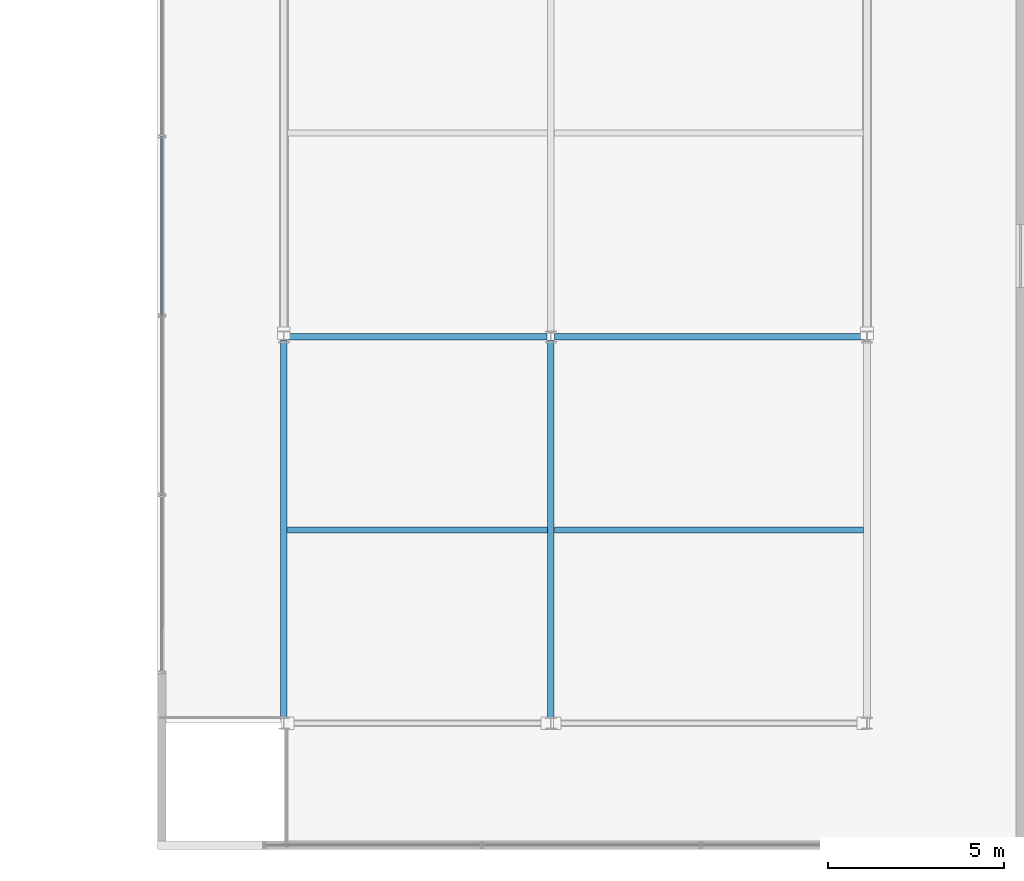
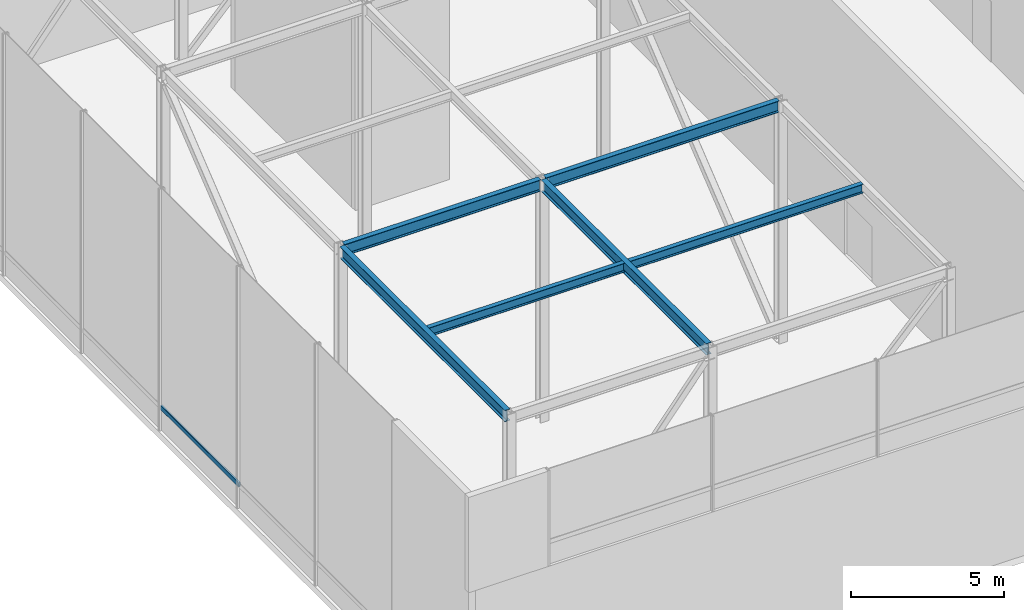
# One storey, part 8 of 42: 6 beams, 1 member, 1 element without a shape of its own.
"""IFC4 building model written with IfcOpenShell, lengths in metres."""

from ifc_helpers import new_model, si_unit, direction, frame, origin, origin_2d, place, context, subcontext, project, spatial, hollow_rectangle, i_section, extrude, material, layer, layer_set, material_profile, profile_set, type_object, element, aggregate, save


model = new_model("IFC4")

# Units and contexts
model_context = context("Model", 3, precision=1e-05, world=origin(), true_north=direction((0.0, 1.0)))
body_context = subcontext(model_context, "Body", "Model", "MODEL_VIEW")
ifc_project = project(units=[si_unit("LENGTHUNIT", "METRE"), si_unit("AREAUNIT", "SQUARE_METRE"), si_unit("VOLUMEUNIT", "CUBIC_METRE"), si_unit("PLANEANGLEUNIT", "RADIAN"), si_unit("MASSUNIT", "GRAM", prefix="KILO")], contexts=[model_context])

# Site, building, storey
site_placement = place(None, origin())
site = spatial("IfcSite", under=ifc_project, at=site_placement, CompositionType="ELEMENT")
building_placement = place(site_placement, origin())
building = spatial("IfcBuilding", under=site, at=building_placement, Name="Korimba Cascade Residences", CompositionType="ELEMENT")
storey_placement = place(building_placement, frame((0.0, 0.0, 207.60009765625)))
storey = spatial("IfcBuildingStorey", under=building, at=storey_placement, Name="L60", CompositionType="ELEMENT", Elevation=207.60009765625)

# Beams
ifc_material_1 = material(Name="Steel S355", Category="steel")
ifc_material_profile_1 = material_profile(ifc_material_1, i_section(OverallWidth=0.172119140625, OverallDepth=0.35791015625, WebThickness=0.008056640625, FlangeThickness=0.012939453125, FilletRadius=0.01025390625, at=origin_2d()), Name="Steel S355")
ifc_profile_set_1 = profile_set([ifc_material_profile_1], Name="Steel S355")
beam_type_1 = type_object("IfcBeamType", Name="BM-STL-UB356", PredefinedType="JOIST", material=ifc_profile_set_1)
beam_1_placement = place(storey_placement, frame((74.60009765625, 1.300048828125, 9.470947265625), z_axis=(1.0, 0.0, 0.0), x_axis=(0.0, 1.0, 0.0)))
element("IfcBeam", 1, at=beam_1_placement, inside=storey, type_object=beam_type_1, Name="L60 Crown Cap Joist W1.1", PredefinedType="JOIST", context=body_context, shape_type="SweptSolid", body=[
    extrude(i_section(OverallWidth=0.172119140625, OverallDepth=0.35791015625, WebThickness=0.008056640625, FlangeThickness=0.012939453125, FilletRadius=0.01025390625, at=origin_2d()), origin(), (0.0, 0.0, 1.0), 7.39990234375),
])
beam_2_placement = place(storey_placement, frame((82.199951171875, 1.300048828125, 9.470947265625), z_axis=(1.0, 0.0, 0.0), x_axis=(0.0, 1.0, 0.0)))
element("IfcBeam", 2, at=beam_2_placement, inside=storey, type_object=beam_type_1, Name="L60 Crown Cap Joist W1.2", PredefinedType="JOIST", context=body_context, shape_type="SweptSolid", body=[
    extrude(i_section(OverallWidth=0.172119140625, OverallDepth=0.35791015625, WebThickness=0.008056640625, FlangeThickness=0.012939453125, FilletRadius=0.01025390625, at=origin_2d()), origin(), (0.0, 0.0, 1.0), 8.800048828125),
])
ifc_material_profile_2 = material_profile(ifc_material_1, i_section(OverallWidth=0.19140625, OverallDepth=0.4599609375, WebThickness=0.010009765625, FlangeThickness=0.01611328125, FilletRadius=0.01025390625, at=origin_2d()), Name="Steel S355")
ifc_profile_set_2 = profile_set([ifc_material_profile_2], Name="Steel S355")
beam_type_2 = type_object("IfcBeamType", Name="BM-STL-UB457", PredefinedType="JOIST", material=ifc_profile_set_2)
beam_3_placement = place(storey_placement, frame((74.60498046875, 6.800048828125, 9.419921875), z_axis=(1.0, 0.0, 0.0), x_axis=(0.0, 1.0, 0.0)))
element("IfcBeam", 3, at=beam_3_placement, inside=storey, type_object=beam_type_2, Name="L60 Crown Cap Ring Beam W2.1", PredefinedType="JOIST", context=body_context, shape_type="SweptSolid", body=[
    extrude(i_section(OverallWidth=0.19140625, OverallDepth=0.4599609375, WebThickness=0.010009765625, FlangeThickness=0.01611328125, FilletRadius=0.01025390625, at=origin_2d()), origin(), (0.0, 0.0, 1.0), 7.39013671875),
])
beam_4_placement = place(storey_placement, frame((82.205078125, 6.800048828125, 9.419921875), z_axis=(1.0, 0.0, 0.0), x_axis=(0.0, 1.0, 0.0)))
element("IfcBeam", 4, at=beam_4_placement, inside=storey, type_object=beam_type_2, Name="L60 Crown Cap Ring Beam W2.2", PredefinedType="JOIST", context=body_context, shape_type="SweptSolid", body=[
    extrude(i_section(OverallWidth=0.19140625, OverallDepth=0.4599609375, WebThickness=0.010009765625, FlangeThickness=0.01611328125, FilletRadius=0.01025390625, at=origin_2d()), origin(), (0.0, 0.0, 1.0), 8.7900390625),
])
for number, where, z_axis, x_axis, name in (
    (5, (74.5, -4.094970703125, 9.419921875), (0.0, 1.0, 0.0), (-1.0, 0.0, 0.0), "L60 Crown Cap Tie Beam W1.1"),
    (6, (82.10009765625, -4.094970703125, 9.419921875), (0.0, 1.0, 0.0), (-1.0, 0.0, 0.0), "L60 Crown Cap Tie Beam W2.1"),
):
    element("IfcBeam", number, at=place(storey_placement, frame(where, z_axis=z_axis, x_axis=x_axis)), inside=storey, type_object=beam_type_2, Name=name, PredefinedType="JOIST", context=body_context, shape_type="SweptSolid", body=[
        extrude(i_section(OverallWidth=0.19140625, OverallDepth=0.4599609375, WebThickness=0.010009765625, FlangeThickness=0.01611328125, FilletRadius=0.01025390625, at=origin_2d()), origin(), (0.0, 0.0, 1.0), 10.7900390625),
    ])

# Curtain wall, member
ifc_material_2 = material(Name="Anodised Aluminium Curtain Wall Framing", Category="aluminium")
ifc_layer = layer(ifc_material_2, 0.179931640625)
ifc_layer_set = layer_set([ifc_layer], Name="Anodised Aluminium Curtain Wall Framing")
curtain_wall_type = type_object("IfcCurtainWallType", Name="CW-CRNE-SYS6", PredefinedType="NOTDEFINED", material=ifc_layer_set)
curtain_wall_placement = place(storey_placement, origin())
curtain_wall = element("IfcCurtainWall", 7, at=curtain_wall_placement, inside=storey, type_object=curtain_wall_type, Name="L60 Curtain Wall CW-L60-CRN-W-1", PredefinedType="NOTDEFINED")
ifc_material_3 = material(Name="Anodised Aluminium Transom", Category="aluminium")
ifc_material_profile_3 = material_profile(ifc_material_3, hollow_rectangle(XDim=0.070068359375, YDim=0.179931640625, WallThickness=0.0048828125, InnerFilletRadius=0.0048828125, OuterFilletRadius=0.010009765625, at=origin_2d()), Name="Anodised Aluminium Transom")
ifc_profile_set_3 = profile_set([ifc_material_profile_3], Name="Anodised Aluminium Transom")
member_type = type_object("IfcMemberType", Name="CWM-TRN-150", PredefinedType="USERDEFINED", material=ifc_profile_set_3)
member_placement = place(storey_placement, frame((71.02490234375, 7.39990234375, 0.89990234375), z_axis=(0.0, 1.0, 0.0), x_axis=(-1.0, 0.0, 0.0)))
member = element("IfcMember", 8, at=member_placement, type_object=member_type, Name="CW-L60-CRN-W-1 Transom 3", ObjectType="TRANSOM", PredefinedType="USERDEFINED", context=body_context, shape_type="SweptSolid", body=[
    extrude(hollow_rectangle(XDim=0.070068359375, YDim=0.179931640625, WallThickness=0.0048828125, InnerFilletRadius=0.0048828125, OuterFilletRadius=0.010009765625, at=origin_2d()), origin(), (0.0, 0.0, 1.0), 5.10009765625),
])
aggregate(curtain_wall, [member])

save(model, "model.ifc")
